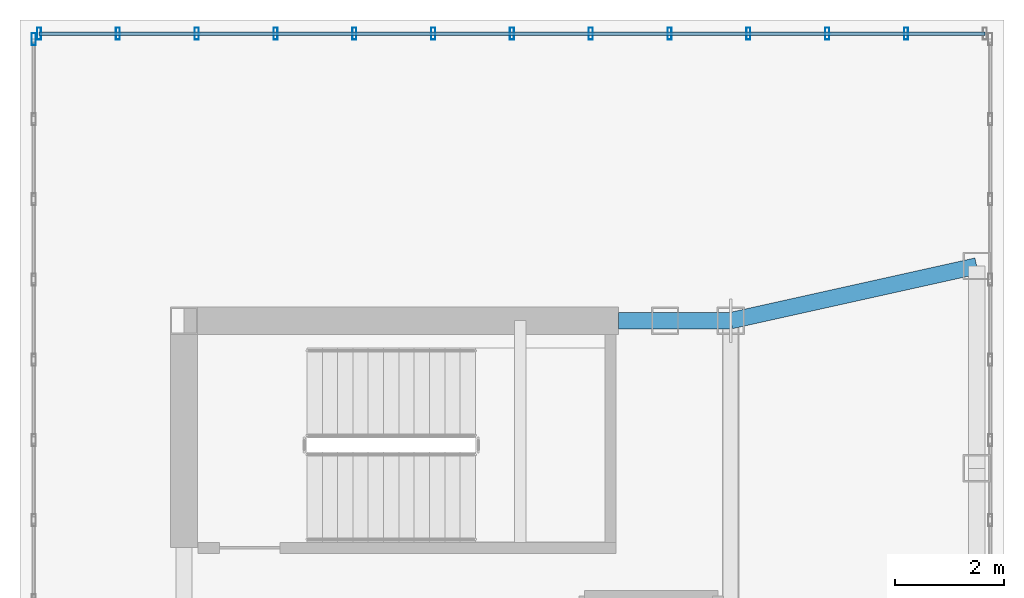
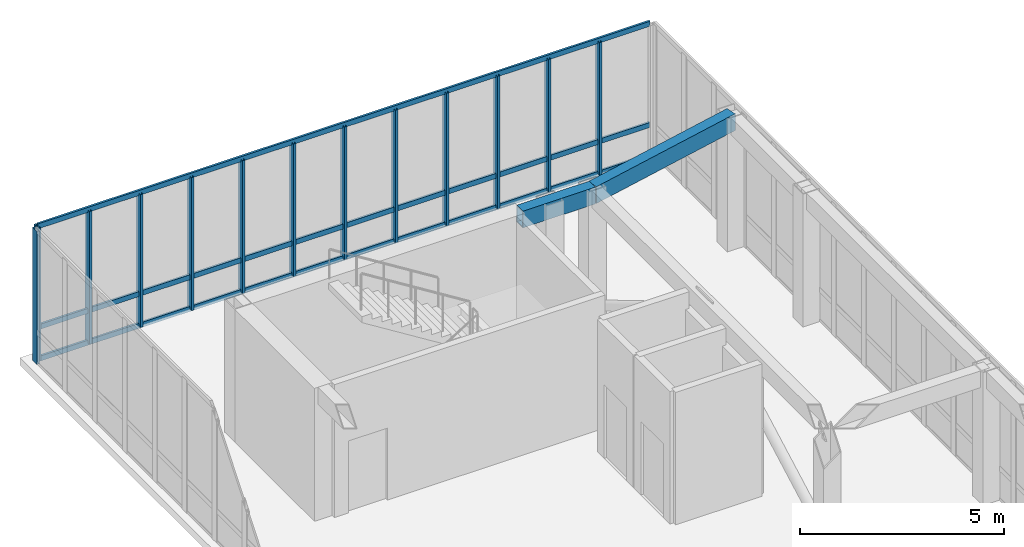
# One storey, part 9 of 13: 16 members, 2 beams, 2 elements without a shape of their own.
"""IFC4 building model written with IfcOpenShell, lengths in metres."""

from ifc_helpers import new_model, si_unit, direction, frame, origin, origin_2d, place, context, subcontext, project, spatial, hollow_rectangle, extrude, source, transform, mapped, material, layer, layer_set, material_profile, profile_set, type_object, element, aggregate, save


model = new_model("IFC4")

# Units and contexts
model_context = context("Model", 3, precision=1e-05, world=origin(), true_north=direction((0.0, 1.0)))
body_context = subcontext(model_context, "Body", "Model", "MODEL_VIEW")
ifc_project = project(units=[si_unit("LENGTHUNIT", "METRE"), si_unit("AREAUNIT", "SQUARE_METRE"), si_unit("VOLUMEUNIT", "CUBIC_METRE"), si_unit("PLANEANGLEUNIT", "RADIAN"), si_unit("MASSUNIT", "GRAM", prefix="KILO")], contexts=[model_context])

# Site, building, storey
site_placement = place(None, origin())
site = spatial("IfcSite", under=ifc_project, at=site_placement, CompositionType="ELEMENT")
building_placement = place(site_placement, origin())
building = spatial("IfcBuilding", under=site, at=building_placement, Name="Kharzan Plaza Tower", CompositionType="ELEMENT")
storey_placement = place(building_placement, frame((0.0, 0.0, 281.39990234375)))
storey = spatial("IfcBuildingStorey", under=building, at=storey_placement, Name="L76-CROWN", CompositionType="ELEMENT", Elevation=281.39990234375)

# Beams
ifc_material_1 = material(Name="Steel S355", Category="steel")
ifc_material_profile_1 = material_profile(ifc_material_1, hollow_rectangle(XDim=0.300048828125, YDim=0.5, WallThickness=0.02001953125, at=origin_2d()), Name="RHS500x300x20")
ifc_profile_set_1 = profile_set([ifc_material_profile_1], Name="Steel S355")
beam_type = type_object("IfcBeamType", Name="BM-CRN500", PredefinedType="BEAM", material=ifc_profile_set_1)
shared_shape_1 = source(origin(), body_context, "Body", "SweptSolid", [
    extrude(hollow_rectangle(XDim=0.300048828125, YDim=0.5, WallThickness=0.02001953125, at=origin_2d()), origin(), (0.0, 0.0, 1.0), 2.050048828125),
])
beam_1_placement = place(storey_placement, frame((12.449951171875, 29.5, 3.72021484375), z_axis=(1.0, 0.0, 0.0), x_axis=(0.0, 1.0, 0.0)))
element("IfcBeam", 1, at=beam_1_placement, inside=storey, type_object=beam_type, Name="L76-CROWN CROWN FRAME Lantern Ring Beam CRB-N2", PredefinedType="BEAM", context=body_context, shape_type="MappedRepresentation", body=[
    mapped(shared_shape_1, transform((0.0, 0.0, 0.0), x_axis=(1.0, 0.0, 0.0), y_axis=(0.0, 1.0, 0.0), z_axis=(0.0, 0.0, 1.0))),
])
shared_shape_2 = source(origin(), body_context, "Body", "SweptSolid", [
    extrude(hollow_rectangle(XDim=0.300048828125, YDim=0.5, WallThickness=0.02001953125, at=origin_2d()), origin(), (0.0, 0.0, 1.0), 4.60986328125),
])
beam_2_placement = place(storey_placement, frame((14.5, 29.5, 3.72021484375), z_axis=(0.976187060184, 0.216930457819, 0.0), x_axis=(-0.216930457819, 0.976187060184, 0.0)))
element("IfcBeam", 2, at=beam_2_placement, inside=storey, type_object=beam_type, Name="L76-CROWN CROWN FRAME Lantern Ring Beam CRB-N3", PredefinedType="BEAM", context=body_context, shape_type="MappedRepresentation", body=[
    mapped(shared_shape_2, transform((0.0, 0.0, 0.0), x_axis=(1.0, 0.0, 0.0), y_axis=(0.0, 1.0, 0.0), z_axis=(0.0, 0.0, 1.0))),
])

# Curtain wall, members
ifc_material_2 = material(Name="Unitised Bronze-Anodized Aluminium and Low-E Glass", Category="aluminium")
ifc_layer = layer(ifc_material_2, 0.199951171875)
ifc_layer_set = layer_set([ifc_layer], Name="Unitised Bronze-Anodized Aluminium and Low-E Glass")
curtain_wall_type = type_object("IfcCurtainWallType", Name="CW-LANTERN-6", PredefinedType="NOTDEFINED", material=ifc_layer_set)
curtain_wall_1_placement = place(storey_placement, origin())
curtain_wall_1 = element("IfcCurtainWall", 3, at=curtain_wall_1_placement, inside=storey, type_object=curtain_wall_type, Name="L76-CROWN Lantern Crown Illuminated Curtain Wall 3", PredefinedType="NOTDEFINED")
ifc_material_3 = material(Name="Anodized Bronze Aluminium", Category="aluminium")
ifc_material_profile_2 = material_profile(ifc_material_3, hollow_rectangle(XDim=0.06005859375, YDim=0.14990234375, WallThickness=0.00341796875, at=origin_2d()), Name="ALU-T150x60x3.5")
ifc_profile_set_2 = profile_set([ifc_material_profile_2], Name="Anodized Bronze Aluminium")
member_type_1 = type_object("IfcMemberType", Name="MEM-CW-TRN150", PredefinedType="USERDEFINED", material=ifc_profile_set_2)
shared_shape_3 = source(origin(), body_context, "Body", "SweptSolid", [
    extrude(hollow_rectangle(XDim=0.06005859375, YDim=0.14990234375, WallThickness=0.00341796875, at=origin_2d()), origin(), (0.0, 0.0, 1.0), 17.2998046875),
])
member_1_placement = place(storey_placement, frame((19.14990234375, 34.75, 0.0), z_axis=(-1.0, 0.0, 0.0), x_axis=(0.0, -1.0, 0.0)))
member_1 = element("IfcMember", 4, at=member_1_placement, type_object=member_type_1, Name="L76-CROWN Curtain-Wall Transom 1", ObjectType="TRANSOM", PredefinedType="USERDEFINED", context=body_context, shape_type="MappedRepresentation", body=[
    mapped(shared_shape_3, transform((0.0, 0.0, 0.0), x_axis=(1.0, 0.0, 0.0), y_axis=(0.0, 1.0, 0.0), z_axis=(0.0, 0.0, 1.0))),
])
member_2_placement = place(storey_placement, frame((19.14990234375, 34.75, 0.9501953125), z_axis=(-1.0, 0.0, 0.0), x_axis=(0.0, -1.0, 0.0)))
member_2 = element("IfcMember", 5, at=member_2_placement, type_object=member_type_1, Name="L76-CROWN Curtain-Wall Transom 2", ObjectType="TRANSOM", PredefinedType="USERDEFINED", context=body_context, shape_type="MappedRepresentation", body=[
    mapped(shared_shape_3, transform((0.0, 0.0, 0.0), x_axis=(1.0, 0.0, 0.0), y_axis=(0.0, 1.0, 0.0), z_axis=(0.0, 0.0, 1.0))),
])
member_3_placement = place(storey_placement, frame((19.14990234375, 34.75, 3.97021484375), z_axis=(-1.0, 0.0, 0.0), x_axis=(0.0, -1.0, 0.0)))
member_3 = element("IfcMember", 6, at=member_3_placement, type_object=member_type_1, Name="L76-CROWN Curtain-Wall Transom 3", ObjectType="TRANSOM", PredefinedType="USERDEFINED", context=body_context, shape_type="MappedRepresentation", body=[
    mapped(shared_shape_3, transform((0.0, 0.0, 0.0), x_axis=(1.0, 0.0, 0.0), y_axis=(0.0, 1.0, 0.0), z_axis=(0.0, 0.0, 1.0))),
])
ifc_material_profile_3 = material_profile(ifc_material_3, hollow_rectangle(XDim=0.074951171875, YDim=0.219970703125, WallThickness=0.00390625, at=origin_2d()), Name="ALU-M220x75x4")
ifc_profile_set_3 = profile_set([ifc_material_profile_3], Name="Anodized Bronze Aluminium")
member_type_2 = type_object("IfcMemberType", Name="MEM-CW-MUL200", PredefinedType="MULLION", material=ifc_profile_set_3)
shared_shape_4 = source(origin(), body_context, "Body", "SweptSolid", [
    extrude(hollow_rectangle(XDim=0.074951171875, YDim=0.219970703125, WallThickness=0.00390625, at=origin_2d()), origin(), (0.0, 0.0, 1.0), 3.97021484375),
])
member_4_placement = place(storey_placement, frame((17.708251953125, 34.75, 0.0), z_axis=(0.0, 0.0, 1.0), x_axis=(1.0, 0.0, 0.0)))
member_4 = element("IfcMember", 7, at=member_4_placement, type_object=member_type_2, Name="L76-CROWN Curtain-Wall Mullion 01", PredefinedType="MULLION", context=body_context, shape_type="MappedRepresentation", body=[
    mapped(shared_shape_4, transform((0.0, 0.0, 0.0), x_axis=(1.0, 0.0, 0.0), y_axis=(0.0, 1.0, 0.0), z_axis=(0.0, 0.0, 1.0))),
])
member_5_placement = place(storey_placement, frame((16.2666015625, 34.75, 0.0), z_axis=(0.0, 0.0, 1.0), x_axis=(1.0, 0.0, 0.0)))
member_5 = element("IfcMember", 8, at=member_5_placement, type_object=member_type_2, Name="L76-CROWN Curtain-Wall Mullion 02", PredefinedType="MULLION", context=body_context, shape_type="MappedRepresentation", body=[
    mapped(shared_shape_4, transform((0.0, 0.0, 0.0), x_axis=(1.0, 0.0, 0.0), y_axis=(0.0, 1.0, 0.0), z_axis=(0.0, 0.0, 1.0))),
])
member_6_placement = place(storey_placement, frame((14.824951171875, 34.75, 0.0), z_axis=(0.0, 0.0, 1.0), x_axis=(1.0, 0.0, 0.0)))
member_6 = element("IfcMember", 9, at=member_6_placement, type_object=member_type_2, Name="L76-CROWN Curtain-Wall Mullion 03", PredefinedType="MULLION", context=body_context, shape_type="MappedRepresentation", body=[
    mapped(shared_shape_4, transform((0.0, 0.0, 0.0), x_axis=(1.0, 0.0, 0.0), y_axis=(0.0, 1.0, 0.0), z_axis=(0.0, 0.0, 1.0))),
])
member_7_placement = place(storey_placement, frame((13.38330078125, 34.75, 0.0), z_axis=(0.0, 0.0, 1.0), x_axis=(1.0, 0.0, 0.0)))
member_7 = element("IfcMember", 10, at=member_7_placement, type_object=member_type_2, Name="L76-CROWN Curtain-Wall Mullion 04", PredefinedType="MULLION", context=body_context, shape_type="MappedRepresentation", body=[
    mapped(shared_shape_4, transform((0.0, 0.0, 0.0), x_axis=(1.0, 0.0, 0.0), y_axis=(0.0, 1.0, 0.0), z_axis=(0.0, 0.0, 1.0))),
])
member_8_placement = place(storey_placement, frame((11.941650390625, 34.75, 0.0), z_axis=(0.0, 0.0, 1.0), x_axis=(1.0, 0.0, 0.0)))
member_8 = element("IfcMember", 11, at=member_8_placement, type_object=member_type_2, Name="L76-CROWN Curtain-Wall Mullion 05", PredefinedType="MULLION", context=body_context, shape_type="MappedRepresentation", body=[
    mapped(shared_shape_4, transform((0.0, 0.0, 0.0), x_axis=(1.0, 0.0, 0.0), y_axis=(0.0, 1.0, 0.0), z_axis=(0.0, 0.0, 1.0))),
])
member_9_placement = place(storey_placement, frame((10.5, 34.75, 0.0), z_axis=(0.0, 0.0, 1.0), x_axis=(1.0, 0.0, 0.0)))
member_9 = element("IfcMember", 12, at=member_9_placement, type_object=member_type_2, Name="L76-CROWN Curtain-Wall Mullion 06", PredefinedType="MULLION", context=body_context, shape_type="MappedRepresentation", body=[
    mapped(shared_shape_4, transform((0.0, 0.0, 0.0), x_axis=(1.0, 0.0, 0.0), y_axis=(0.0, 1.0, 0.0), z_axis=(0.0, 0.0, 1.0))),
])
member_10_placement = place(storey_placement, frame((9.058349609375, 34.75, 0.0), z_axis=(0.0, 0.0, 1.0), x_axis=(1.0, 0.0, 0.0)))
member_10 = element("IfcMember", 13, at=member_10_placement, type_object=member_type_2, Name="L76-CROWN Curtain-Wall Mullion 07", PredefinedType="MULLION", context=body_context, shape_type="MappedRepresentation", body=[
    mapped(shared_shape_4, transform((0.0, 0.0, 0.0), x_axis=(1.0, 0.0, 0.0), y_axis=(0.0, 1.0, 0.0), z_axis=(0.0, 0.0, 1.0))),
])
member_11_placement = place(storey_placement, frame((7.61669921875, 34.75, 0.0), z_axis=(0.0, 0.0, 1.0), x_axis=(1.0, 0.0, 0.0)))
member_11 = element("IfcMember", 14, at=member_11_placement, type_object=member_type_2, Name="L76-CROWN Curtain-Wall Mullion 08", PredefinedType="MULLION", context=body_context, shape_type="MappedRepresentation", body=[
    mapped(shared_shape_4, transform((0.0, 0.0, 0.0), x_axis=(1.0, 0.0, 0.0), y_axis=(0.0, 1.0, 0.0), z_axis=(0.0, 0.0, 1.0))),
])
member_12_placement = place(storey_placement, frame((6.175048828125, 34.75, 0.0), z_axis=(0.0, 0.0, 1.0), x_axis=(1.0, 0.0, 0.0)))
member_12 = element("IfcMember", 15, at=member_12_placement, type_object=member_type_2, Name="L76-CROWN Curtain-Wall Mullion 09", PredefinedType="MULLION", context=body_context, shape_type="MappedRepresentation", body=[
    mapped(shared_shape_4, transform((0.0, 0.0, 0.0), x_axis=(1.0, 0.0, 0.0), y_axis=(0.0, 1.0, 0.0), z_axis=(0.0, 0.0, 1.0))),
])
member_13_placement = place(storey_placement, frame((4.7333984375, 34.75, 0.0), z_axis=(0.0, 0.0, 1.0), x_axis=(1.0, 0.0, 0.0)))
member_13 = element("IfcMember", 16, at=member_13_placement, type_object=member_type_2, Name="L76-CROWN Curtain-Wall Mullion 10", PredefinedType="MULLION", context=body_context, shape_type="MappedRepresentation", body=[
    mapped(shared_shape_4, transform((0.0, 0.0, 0.0), x_axis=(1.0, 0.0, 0.0), y_axis=(0.0, 1.0, 0.0), z_axis=(0.0, 0.0, 1.0))),
])
member_14_placement = place(storey_placement, frame((3.291748046875, 34.75, 0.0), z_axis=(0.0, 0.0, 1.0), x_axis=(1.0, 0.0, 0.0)))
member_14 = element("IfcMember", 17, at=member_14_placement, type_object=member_type_2, Name="L76-CROWN Curtain-Wall Mullion 11", PredefinedType="MULLION", context=body_context, shape_type="MappedRepresentation", body=[
    mapped(shared_shape_4, transform((0.0, 0.0, 0.0), x_axis=(1.0, 0.0, 0.0), y_axis=(0.0, 1.0, 0.0), z_axis=(0.0, 0.0, 1.0))),
])
member_15_placement = place(storey_placement, frame((1.85009765625, 34.75, 0.0), z_axis=(0.0, 0.0, 1.0), x_axis=(1.0, 0.0, 0.0)))
member_15 = element("IfcMember", 18, at=member_15_placement, type_object=member_type_2, Name="L76-CROWN Curtain-Wall Mullion 12", PredefinedType="MULLION", context=body_context, shape_type="MappedRepresentation", body=[
    mapped(shared_shape_4, transform((0.0, 0.0, 0.0), x_axis=(1.0, 0.0, 0.0), y_axis=(0.0, 1.0, 0.0), z_axis=(0.0, 0.0, 1.0))),
])
aggregate(curtain_wall_1, [member_4, member_5, member_6, member_7, member_8, member_9, member_10, member_11, member_12, member_13, member_14, member_15, member_1, member_2, member_3])

# Curtain wall, member
curtain_wall_2_placement = place(storey_placement, origin())
curtain_wall_2 = element("IfcCurtainWall", 19, at=curtain_wall_2_placement, inside=storey, type_object=curtain_wall_type, Name="L76-CROWN Lantern Crown Illuminated Curtain Wall 4", PredefinedType="NOTDEFINED")
member_16_placement = place(storey_placement, frame((1.75, 34.64990234375, 0.0), z_axis=(0.0, 0.0, 1.0), x_axis=(1.0, 0.0, 0.0)))
member_16 = element("IfcMember", 20, at=member_16_placement, type_object=member_type_2, Name="L76-CROWN Curtain-Wall Mullion 00", PredefinedType="MULLION", context=body_context, shape_type="MappedRepresentation", body=[
    mapped(shared_shape_4, transform((0.0, 0.0, 0.0), x_axis=(1.0, 0.0, 0.0), y_axis=(0.0, 1.0, 0.0), z_axis=(0.0, 0.0, 1.0))),
])
aggregate(curtain_wall_2, [member_16])

save(model, "model.ifc")
